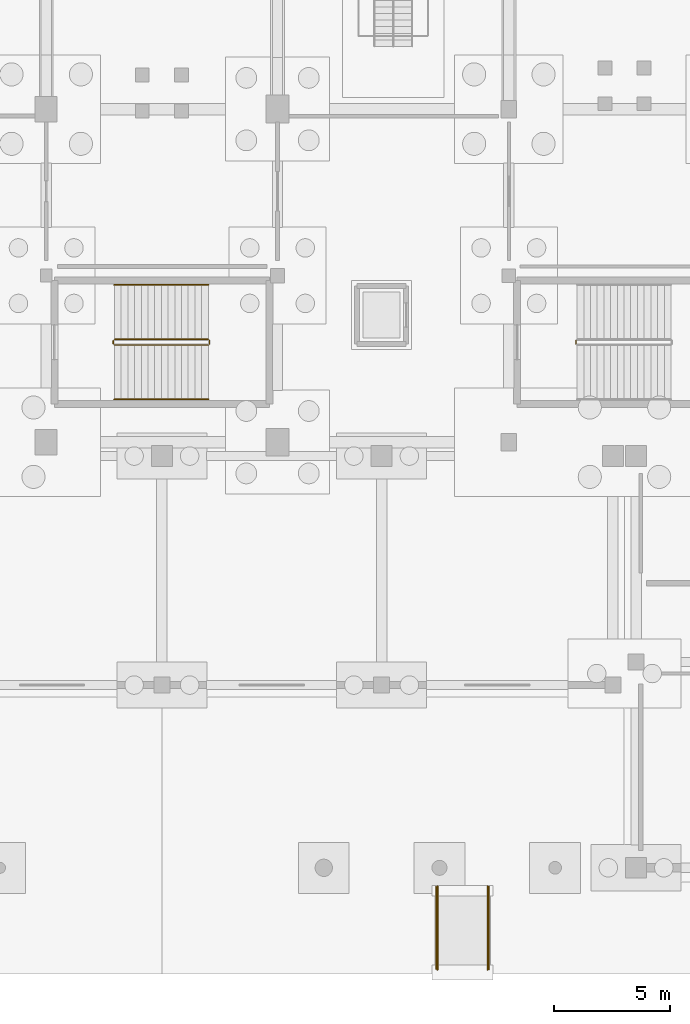
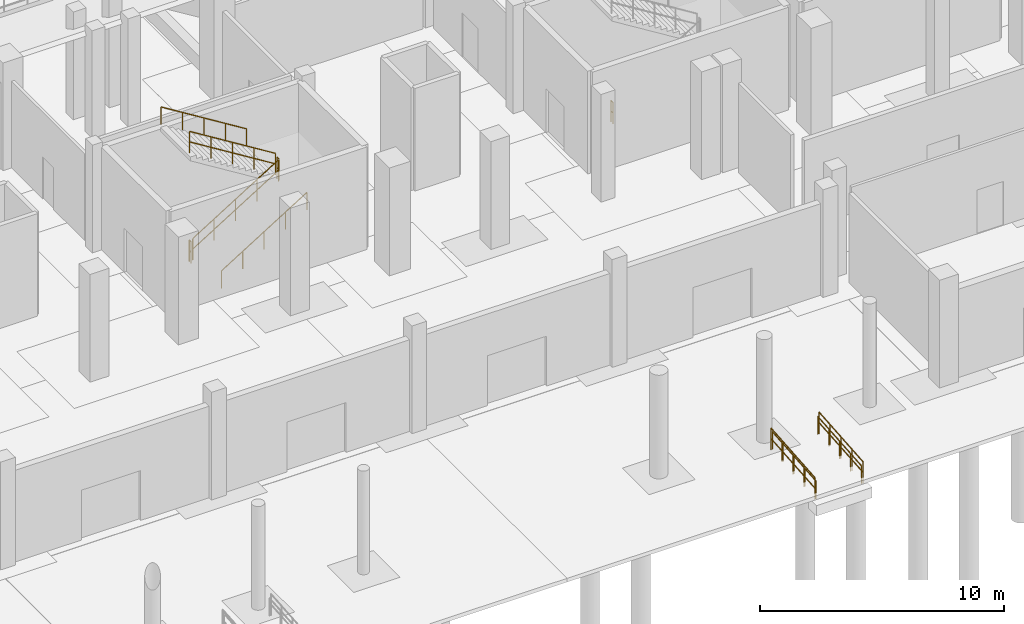
# One storey, part 50 of 68: 11 railings.
"""IFC4 building model written with IfcOpenShell, lengths in metres."""

from ifc_helpers import new_model, si_unit, direction, frame, origin, origin_2d, place, context, subcontext, project, spatial, circle, extrude, material, layer, layer_set, type_object, element, save


model = new_model("IFC4")

# Units and contexts
model_context = context("Model", 3, precision=1e-05, world=origin(), true_north=direction((0.0, 1.0)))
body_context = subcontext(model_context, "Body", "Model", "MODEL_VIEW")
ifc_project = project(units=[si_unit("LENGTHUNIT", "METRE"), si_unit("AREAUNIT", "SQUARE_METRE"), si_unit("VOLUMEUNIT", "CUBIC_METRE"), si_unit("PLANEANGLEUNIT", "RADIAN"), si_unit("MASSUNIT", "GRAM", prefix="KILO")], contexts=[model_context])

# Site, building, storey
site_placement = place(None, origin())
site = spatial("IfcSite", under=ifc_project, at=site_placement, CompositionType="ELEMENT")
building_placement = place(site_placement, origin())
building = spatial("IfcBuilding", under=site, at=building_placement, Name="Candeia Ridge Stadium", CompositionType="ELEMENT")
storey_placement = place(building_placement, origin())
storey = spatial("IfcBuildingStorey", under=building, at=storey_placement, Name="L00", CompositionType="ELEMENT", Elevation=0.0)

# Railings
ifc_material_1 = material(Name="Brushed Stainless Steel", Category="steel")
ifc_layer_1 = layer(ifc_material_1, 0.048095703125, Name="Brushed Stainless Steel", Category="steel")
ifc_layer_set_1 = layer_set([ifc_layer_1], Name="Brushed Stainless Steel")
railing_type_1 = type_object("IfcRailingType", Name="Stair Wall & Flight Handrail 900", PredefinedType="HANDRAIL", material=ifc_layer_set_1)
for number, where, name in (
    (1, (120.080078125, -3.800048828125, -0.300048828125), "Accessible ramp handrail RMP-S2-L"),
    (2, (117.919921875, -3.800048828125, -0.300048828125), "Accessible ramp handrail RMP-S2-R"),
):
    element("IfcRailing", number, at=place(storey_placement, frame(where)), inside=storey, type_object=railing_type_1, Name=name, PredefinedType="HANDRAIL", context=body_context, shape_type="SweptSolid", body=[
        extrude(circle(Radius=0.02392578125, at=origin_2d()), frame((0.0, 0.0, 0.8759765625), z_axis=(0.0, 0.996544826035, 0.083056665618), x_axis=(-1.0, 0.0, 0.0)), (0.0, 0.0, 1.0), 3.612548828125),
        extrude(circle(Radius=0.02099609375, at=origin_2d()), origin(), (0.0, 0.0, 1.0), 0.851806640625),
        extrude(circle(Radius=0.02099609375, at=origin_2d()), frame((0.0, 0.89990234375, 0.074951171875)), (0.0, 0.0, 1.0), 0.851806640625),
        extrude(circle(Radius=0.02099609375, at=origin_2d()), frame((0.0, 1.800048828125, 0.14990234375)), (0.0, 0.0, 1.0), 0.851806640625),
        extrude(circle(Radius=0.02099609375, at=origin_2d()), frame((0.0, 2.7001953125, 0.22509765625)), (0.0, 0.0, 1.0), 0.851806640625),
        extrude(circle(Radius=0.02099609375, at=origin_2d()), frame((0.0, 3.60009765625, 0.300048828125)), (0.0, 0.0, 1.0), 0.851806640625),
    ])
railing_1_placement = place(storey_placement, frame((103.949951171875, 20.85009765625, 0.179931640625)))
element("IfcRailing", 3, at=railing_1_placement, inside=storey, type_object=railing_type_1, Name="L00 ST18 stair handrail 1", PredefinedType="HANDRAIL", context=body_context, shape_type="SweptSolid", body=[
    extrude(circle(Radius=0.02392578125, at=origin_2d()), frame((0.0, 0.0, 0.8759765625), z_axis=(0.849641744969, 0.0, 0.527360318194), x_axis=(0.0, 1.0, 0.0)), (0.0, 0.0, 1.0), 4.778564453125),
    extrude(circle(Radius=0.02099609375, at=origin_2d()), origin(), (0.0, 0.0, 1.0), 0.851806640625),
    extrude(circle(Radius=0.02099609375, at=origin_2d()), frame((1.01513671875, 0.0, 0.6298828125)), (0.0, 0.0, 1.0), 0.851806640625),
    extrude(circle(Radius=0.02099609375, at=origin_2d()), frame((2.030029296875, 0.0, 1.260009765625)), (0.0, 0.0, 1.0), 0.851806640625),
    extrude(circle(Radius=0.02099609375, at=origin_2d()), frame((3.044921875, 0.0, 1.89013671875)), (0.0, 0.0, 1.0), 0.851806640625),
    extrude(circle(Radius=0.02099609375, at=origin_2d()), frame((4.06005859375, 0.0, 2.52001953125)), (0.0, 0.0, 1.0), 0.851806640625),
])
railing_2_placement = place(storey_placement, frame((108.010009765625, 25.800048828125, 2.8798828125)))
element("IfcRailing", 4, at=railing_2_placement, inside=storey, type_object=railing_type_1, Name="L00 ST18 stair handrail 2", PredefinedType="HANDRAIL", context=body_context, shape_type="SweptSolid", body=[
    extrude(circle(Radius=0.02392578125, at=origin_2d()), frame((0.0, 0.0, 0.8759765625), z_axis=(-0.849641744969, 0.0, 0.527360318194), x_axis=(0.0, -1.0, 0.0)), (0.0, 0.0, 1.0), 4.778564453125),
    extrude(circle(Radius=0.02099609375, at=origin_2d()), origin(), (0.0, 0.0, 1.0), 0.851806640625),
    extrude(circle(Radius=0.02099609375, at=origin_2d()), frame((-1.01513671875, 0.0, 0.6298828125)), (0.0, 0.0, 1.0), 0.851806640625),
    extrude(circle(Radius=0.02099609375, at=origin_2d()), frame((-2.030029296875, 0.0, 1.260009765625)), (0.0, 0.0, 1.0), 0.851806640625),
    extrude(circle(Radius=0.02099609375, at=origin_2d()), frame((-3.044921875, 0.0, 1.89013671875)), (0.0, 0.0, 1.0), 0.851806640625),
    extrude(circle(Radius=0.02099609375, at=origin_2d()), frame((-4.06005859375, 0.0, 2.52001953125)), (0.0, 0.0, 1.0), 0.851806640625),
])
ifc_material_2 = material(Name="Galvanized Powder-Coated Steel", Category="steel")
ifc_layer_2 = layer(ifc_material_2, 0.06005859375, Name="Galvanized Powder-Coated Steel", Category="steel")
ifc_layer_set_2 = layer_set([ifc_layer_2], Name="Galvanized Powder-Coated Steel")
railing_type_2 = type_object("IfcRailingType", Name="Stair Well Guardrail 1100", PredefinedType="GUARDRAIL", material=ifc_layer_set_2)
railing_3_placement = place(storey_placement, frame((123.89990234375, 23.25, 0.0)))
element("IfcRailing", 5, at=railing_3_placement, inside=storey, type_object=railing_type_2, Name="L00 ST12 stair guard 4", PredefinedType="GUARDRAIL", context=body_context, shape_type="SweptSolid", body=[
    extrude(circle(Radius=0.02392578125, at=origin_2d()), frame((0.0, 0.0, 1.076171875), z_axis=(0.0, 1.0, 0.0), x_axis=(-1.0, 0.0, 0.0)), (0.0, 0.0, 1.0), 0.14990234375),
    extrude(circle(Radius=0.02392578125, at=origin_2d()), frame((0.0, 0.0, 0.550048828125), z_axis=(0.0, 1.0, 0.0), x_axis=(-1.0, 0.0, 0.0)), (0.0, 0.0, 1.0), 0.14990234375),
    extrude(circle(Radius=0.02099609375, at=origin_2d()), origin(), (0.0, 0.0, 1.0), 1.052001953125),
    extrude(circle(Radius=0.02099609375, at=origin_2d()), frame((0.0, 0.14990234375, 0.0)), (0.0, 0.0, 1.0), 1.052001953125),
])
railing_4_placement = place(storey_placement, frame((103.949951171875, 23.199951171875, 0.179931640625)))
element("IfcRailing", 6, at=railing_4_placement, inside=storey, type_object=railing_type_2, Name="L00 ST18 stair guard 1", PredefinedType="GUARDRAIL", context=body_context, shape_type="SweptSolid", body=[
    extrude(circle(Radius=0.02392578125, at=origin_2d()), frame((0.0, 0.0, 1.076171875), z_axis=(0.849641744969, 0.0, 0.527360318194), x_axis=(0.0, 1.0, 0.0)), (0.0, 0.0, 1.0), 4.778564453125),
    extrude(circle(Radius=0.02392578125, at=origin_2d()), frame((0.0, 0.0, 0.550048828125), z_axis=(0.849641744969, 0.0, 0.527360318194), x_axis=(0.0, 1.0, 0.0)), (0.0, 0.0, 1.0), 4.778564453125),
    extrude(circle(Radius=0.02099609375, at=origin_2d()), origin(), (0.0, 0.0, 1.0), 1.052001953125),
    extrude(circle(Radius=0.02099609375, at=origin_2d()), frame((1.01513671875, 0.0, 0.6298828125)), (0.0, 0.0, 1.0), 1.052001953125),
    extrude(circle(Radius=0.02099609375, at=origin_2d()), frame((2.030029296875, 0.0, 1.260009765625)), (0.0, 0.0, 1.0), 1.052001953125),
    extrude(circle(Radius=0.02099609375, at=origin_2d()), frame((3.044921875, 0.0, 1.89013671875)), (0.0, 0.0, 1.0), 1.052001953125),
    extrude(circle(Radius=0.02099609375, at=origin_2d()), frame((4.06005859375, 0.0, 2.52001953125)), (0.0, 0.0, 1.0), 1.052001953125),
])
railing_5_placement = place(storey_placement, frame((108.06005859375, 23.25, 2.699951171875)))
element("IfcRailing", 7, at=railing_5_placement, inside=storey, type_object=railing_type_2, Name="L00 ST18 stair guard 2", PredefinedType="GUARDRAIL", context=body_context, shape_type="SweptSolid", body=[
    extrude(circle(Radius=0.02392578125, at=origin_2d()), frame((0.0, 0.0, 1.076171875), z_axis=(0.0, 1.0, 0.0), x_axis=(-1.0, 0.0, 0.0)), (0.0, 0.0, 1.0), 0.14990234375),
    extrude(circle(Radius=0.02392578125, at=origin_2d()), frame((0.0, 0.0, 0.550048828125), z_axis=(0.0, 1.0, 0.0), x_axis=(-1.0, 0.0, 0.0)), (0.0, 0.0, 1.0), 0.14990234375),
    extrude(circle(Radius=0.02099609375, at=origin_2d()), origin(), (0.0, 0.0, 1.0), 1.052001953125),
    extrude(circle(Radius=0.02099609375, at=origin_2d()), frame((0.0, 0.14990234375, 0.0)), (0.0, 0.0, 1.0), 1.052001953125),
])
railing_6_placement = place(storey_placement, frame((108.010009765625, 23.449951171875, 2.8798828125)))
element("IfcRailing", 8, at=railing_6_placement, inside=storey, type_object=railing_type_2, Name="L00 ST18 stair guard 3", PredefinedType="GUARDRAIL", context=body_context, shape_type="SweptSolid", body=[
    extrude(circle(Radius=0.02392578125, at=origin_2d()), frame((0.0, 0.0, 1.076171875), z_axis=(-0.849641744969, 0.0, 0.527360318194), x_axis=(0.0, -1.0, 0.0)), (0.0, 0.0, 1.0), 4.778564453125),
    extrude(circle(Radius=0.02392578125, at=origin_2d()), frame((0.0, 0.0, 0.550048828125), z_axis=(-0.849641744969, 0.0, 0.527360318194), x_axis=(0.0, -1.0, 0.0)), (0.0, 0.0, 1.0), 4.778564453125),
    extrude(circle(Radius=0.02099609375, at=origin_2d()), origin(), (0.0, 0.0, 1.0), 1.052001953125),
    extrude(circle(Radius=0.02099609375, at=origin_2d()), frame((-1.01513671875, 0.0, 0.6298828125)), (0.0, 0.0, 1.0), 1.052001953125),
    extrude(circle(Radius=0.02099609375, at=origin_2d()), frame((-2.030029296875, 0.0, 1.260009765625)), (0.0, 0.0, 1.0), 1.052001953125),
    extrude(circle(Radius=0.02099609375, at=origin_2d()), frame((-3.044921875, 0.0, 1.89013671875)), (0.0, 0.0, 1.0), 1.052001953125),
    extrude(circle(Radius=0.02099609375, at=origin_2d()), frame((-4.06005859375, 0.0, 2.52001953125)), (0.0, 0.0, 1.0), 1.052001953125),
])
railing_7_placement = place(storey_placement, frame((103.89990234375, 23.25, 0.0)))
element("IfcRailing", 9, at=railing_7_placement, inside=storey, type_object=railing_type_2, Name="L00 ST18 stair guard 4", PredefinedType="GUARDRAIL", context=body_context, shape_type="SweptSolid", body=[
    extrude(circle(Radius=0.02392578125, at=origin_2d()), frame((0.0, 0.0, 1.076171875), z_axis=(0.0, 1.0, 0.0), x_axis=(-1.0, 0.0, 0.0)), (0.0, 0.0, 1.0), 0.14990234375),
    extrude(circle(Radius=0.02392578125, at=origin_2d()), frame((0.0, 0.0, 0.550048828125), z_axis=(0.0, 1.0, 0.0), x_axis=(-1.0, 0.0, 0.0)), (0.0, 0.0, 1.0), 0.14990234375),
    extrude(circle(Radius=0.02099609375, at=origin_2d()), origin(), (0.0, 0.0, 1.0), 1.052001953125),
    extrude(circle(Radius=0.02099609375, at=origin_2d()), frame((0.0, 0.14990234375, 0.0)), (0.0, 0.0, 1.0), 1.052001953125),
])
ifc_layer_3 = layer(ifc_material_2, 0.070068359375, Name="Galvanized Powder-Coated Steel", Category="steel")
ifc_layer_set_3 = layer_set([ifc_layer_3], Name="Galvanized Powder-Coated Steel")
railing_type_3 = type_object("IfcRailingType", Name="Vomitory Portal Guardrail 1100", PredefinedType="GUARDRAIL", material=ifc_layer_set_3)
for number, where, name in (
    (10, (120.139892578125, -3.800048828125, -0.300048828125), "Accessible ramp guardrail RMP-S2-L"),
    (11, (117.860107421875, -3.800048828125, -0.300048828125), "Accessible ramp guardrail RMP-S2-R"),
):
    element("IfcRailing", number, at=place(storey_placement, frame(where)), inside=storey, type_object=railing_type_3, Name=name, PredefinedType="GUARDRAIL", context=body_context, shape_type="SweptSolid", body=[
        extrude(circle(Radius=0.02392578125, at=origin_2d()), frame((0.0, 0.0, 1.076171875), z_axis=(0.0, 0.996544826035, 0.083056665618), x_axis=(-1.0, 0.0, 0.0)), (0.0, 0.0, 1.0), 3.612548828125),
        extrude(circle(Radius=0.02392578125, at=origin_2d()), frame((0.0, 0.0, 0.550048828125), z_axis=(0.0, 0.996544826035, 0.083056665618), x_axis=(-1.0, 0.0, 0.0)), (0.0, 0.0, 1.0), 3.612548828125),
        extrude(circle(Radius=0.02099609375, at=origin_2d()), origin(), (0.0, 0.0, 1.0), 1.052001953125),
        extrude(circle(Radius=0.02099609375, at=origin_2d()), frame((0.0, 0.89990234375, 0.074951171875)), (0.0, 0.0, 1.0), 1.052001953125),
        extrude(circle(Radius=0.02099609375, at=origin_2d()), frame((0.0, 1.800048828125, 0.14990234375)), (0.0, 0.0, 1.0), 1.052001953125),
        extrude(circle(Radius=0.02099609375, at=origin_2d()), frame((0.0, 2.7001953125, 0.22509765625)), (0.0, 0.0, 1.0), 1.052001953125),
        extrude(circle(Radius=0.02099609375, at=origin_2d()), frame((0.0, 3.60009765625, 0.300048828125)), (0.0, 0.0, 1.0), 1.052001953125),
    ])

save(model, "model.ifc")
